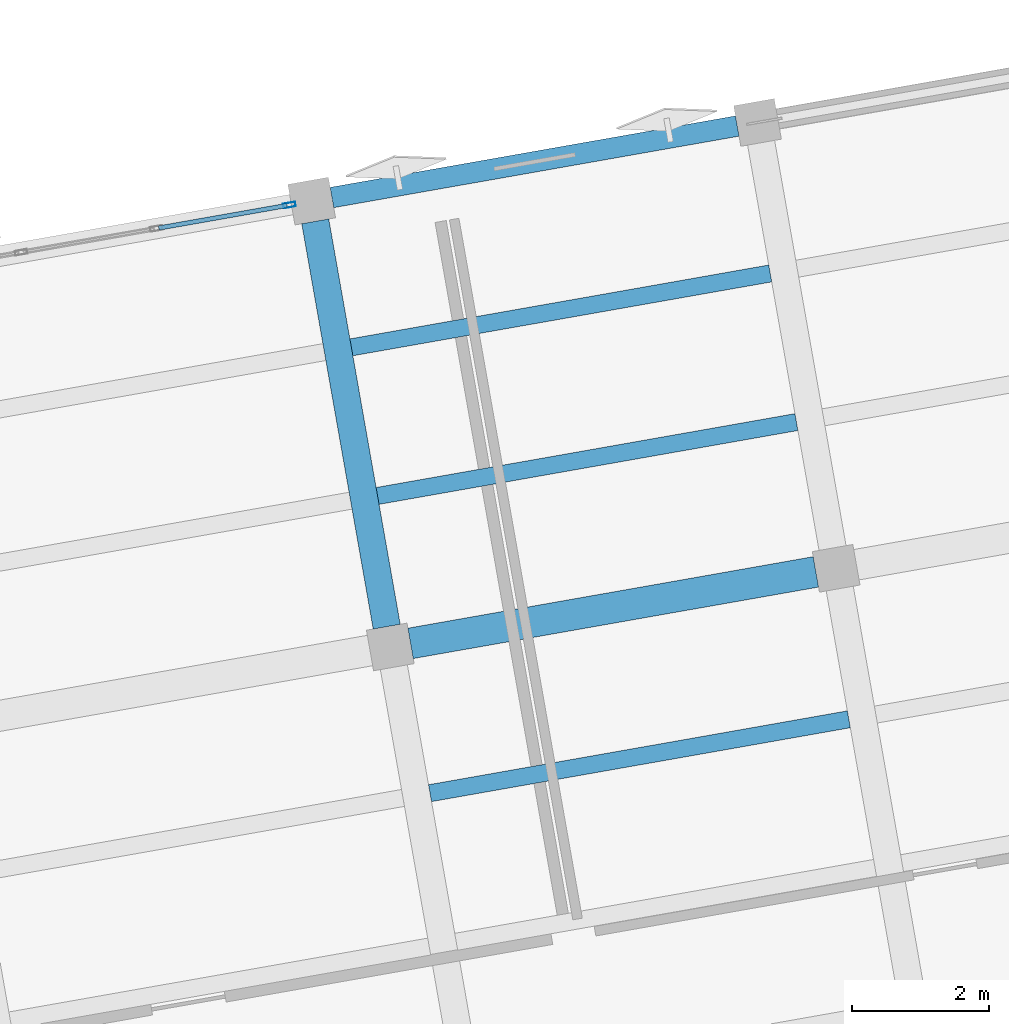
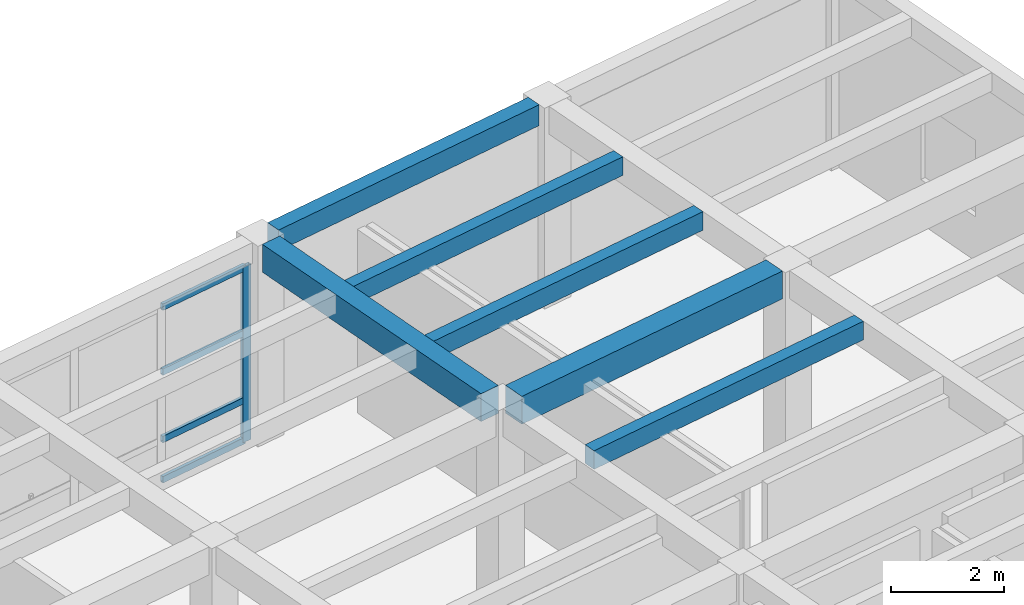
# One storey, part 8 of 36: 6 beams, 5 members, 1 element without a shape of its own.
"""IFC4 building model written with IfcOpenShell, lengths in metres."""

import ifcopenshell
import ifcopenshell.guid

model = None  # the IFC model being written
_history = None  # IfcOwnerHistory: only IFC2X3 demands one
_inside = {}  # id of a spatial element -> (the spatial element, [elements in it])
_under = {}  # id of a project, library or spatial element -> (it, [spatial elements below it])
_declared = {}  # id of a project -> (the project, [libraries it declares])
_typed = {}  # id of a type object -> (the type object, [elements of that type])
_made_of = {}  # id of a material, layer set ... -> (it, [elements and type objects made of it])


def new_model(schema):
    """Start an empty IFC model of exactly this schema.

    Asked for "IFC4X3", IfcOpenShell would pick the latest addendum, in which some entities
    have other attributes; the version numbers below select the first issue.
    IFC2X3 requires an IfcOwnerHistory on every rooted entity: one is made here for all.
    """
    global model, _history
    if schema == "IFC4X3":
        model = ifcopenshell.file(schema_version=(4, 3, 0, 0))
    else:
        model = ifcopenshell.file(schema=schema)
    _inside.clear()
    _under.clear()
    _declared.clear()
    _typed.clear()
    _made_of.clear()
    _history = None
    if model.schema == "IFC2X3":
        org = make("IfcOrganization", Name="unknown")
        user = make(
            "IfcPersonAndOrganization",
            ThePerson=make("IfcPerson", FamilyName="unknown"),
            TheOrganization=org,
        )
        app = make(
            "IfcApplication",
            ApplicationDeveloper=org,
            Version="unknown",
            ApplicationFullName="unknown",
            ApplicationIdentifier="unknown",
        )
        _history = make(
            "IfcOwnerHistory",
            OwningUser=user,
            OwningApplication=app,
            ChangeAction="ADDED",
            CreationDate=0,
        )
    return model


def make(cls, **values):
    """One entity of the class cls with the attributes given. An attribute that is None is left unset."""
    return model.create_entity(
        cls, **{name: value for name, value in values.items() if value is not None}
    )


def rooted(cls, **values):
    """An entity with a GlobalId (a new one), such as an element, a storey or a relation."""
    return make(cls, GlobalId=ifcopenshell.guid.new(), OwnerHistory=_history, **values)


def si_unit(unit_type, name, prefix=None):
    """IfcSIUnit, for example si_unit("LENGTHUNIT", "METRE", prefix="MILLI")."""
    return make("IfcSIUnit", UnitType=unit_type, Prefix=prefix, Name=name)


def assignment(units):
    """IfcUnitAssignment: the units of a project."""
    return None if units is None else make("IfcUnitAssignment", Units=units)


def point(xyz):
    """IfcCartesianPoint."""
    return None if xyz is None else make("IfcCartesianPoint", Coordinates=xyz)


def direction(xyz):
    """IfcDirection."""
    return None if xyz is None else make("IfcDirection", DirectionRatios=xyz)


def frame(location, z_axis=None, x_axis=None):
    """IfcAxis2Placement3D, a coordinate frame: its origin and axes. An axis left out is left unset."""
    return make(
        "IfcAxis2Placement3D",
        Location=point(location),
        Axis=direction(z_axis),
        RefDirection=direction(x_axis),
    )


def frame_2d(location, x_axis=None):
    """IfcAxis2Placement2D, a coordinate frame in the plane: its origin and x axis."""
    return make(
        "IfcAxis2Placement2D", Location=point(location), RefDirection=direction(x_axis)
    )


def origin():
    """The frame at (0, 0, 0) with its axes left unset."""
    return frame((0.0, 0.0, 0.0))


def origin_2d():
    """The frame at (0, 0) in the plane with its x axis left unset."""
    return frame_2d((0.0, 0.0))


def place(relative_to, where):
    """IfcLocalPlacement: puts the frame where relative to a parent placement (None: the world)."""
    return make(
        "IfcLocalPlacement", PlacementRelTo=relative_to, RelativePlacement=where
    )


def context(
    kind, dimensions, precision=None, world=None, true_north=None, identifier=None
):
    """IfcGeometricRepresentationContext, for example the 3D "Model" context."""
    return make(
        "IfcGeometricRepresentationContext",
        ContextIdentifier=identifier,
        ContextType=kind,
        CoordinateSpaceDimension=dimensions,
        Precision=precision,
        WorldCoordinateSystem=world,
        TrueNorth=true_north,
    )


def subcontext(parent, identifier, kind, view, scale=None):
    """IfcGeometricRepresentationSubContext, for example "Body" below "Model"."""
    return make(
        "IfcGeometricRepresentationSubContext",
        ContextIdentifier=identifier,
        ContextType=kind,
        ParentContext=parent,
        TargetScale=scale,
        TargetView=view,
    )


def project(units=None, contexts=None):
    """IfcProject with its units and contexts."""
    return rooted(
        "IfcProject",
        Name="project",
        RepresentationContexts=contexts,
        UnitsInContext=assignment(units),
    )


def spatial(cls, under=None, at=None, **own):
    """A site, building, storey or space (cls), placed at a placement, below another one or the project."""
    s = rooted(cls, ObjectPlacement=at, **own)
    if under is not None:
        _under.setdefault(under.id(), (under, []))[1].append(s)
    return s


def profile(cls, at=None, kind="AREA", **sizes):
    """A parametric profile (cls). Its sizes go by their IFC names, for example OverallWidth=200.0."""
    return make(cls, ProfileType=kind, Position=at, **sizes)


def rectangle(**sizes):
    """IfcRectangleProfileDef."""
    return profile("IfcRectangleProfileDef", **sizes)


def hollow_rectangle(**sizes):
    """IfcRectangleHollowProfileDef."""
    return profile("IfcRectangleHollowProfileDef", **sizes)


def extrude(swept, where, along, depth):
    """IfcExtrudedAreaSolid: the profile swept, set in the frame where, extruded along a direction by depth."""
    return make(
        "IfcExtrudedAreaSolid",
        SweptArea=swept,
        Position=where,
        ExtrudedDirection=direction(along),
        Depth=depth,
    )


def shape(context_of_items, identifier, shape_type, items):
    """IfcShapeRepresentation: the items that make up one representation, for example the "Body"."""
    return make(
        "IfcShapeRepresentation",
        ContextOfItems=context_of_items,
        RepresentationIdentifier=identifier,
        RepresentationType=shape_type,
        Items=items,
    )


def material(Name=None, Category=None):
    """IfcMaterial."""
    return make("IfcMaterial", Name=Name, Category=Category)


def layer(
    of_material, thickness, ventilated=None, Name=None, Category=None, Priority=None
):
    """IfcMaterialLayer: one layer of a wall or slab, of a material (None: an air gap)."""
    return make(
        "IfcMaterialLayer",
        Material=of_material,
        LayerThickness=thickness,
        IsVentilated=ventilated,
        Name=Name,
        Category=Category,
        Priority=Priority,
    )


def layer_set(layers, Name=None):
    """IfcMaterialLayerSet."""
    return make("IfcMaterialLayerSet", MaterialLayers=layers, LayerSetName=Name)


def material_profile(
    of_material, cross_section, Name=None, Category=None, Priority=None
):
    """IfcMaterialProfile: a cross section and its material."""
    return make(
        "IfcMaterialProfile",
        Name=Name,
        Material=of_material,
        Profile=cross_section,
        Priority=Priority,
        Category=Category,
    )


def profile_set(profiles, Name=None, composite=None):
    """IfcMaterialProfileSet."""
    return make(
        "IfcMaterialProfileSet",
        Name=Name,
        MaterialProfiles=profiles,
        CompositeProfile=composite,
    )


def made_of(thing, what):
    """Note that an element or type object is made of a material, layer set ...; save() writes the relation."""
    if what is not None:
        _made_of.setdefault(what.id(), (what, []))[1].append(thing)
    return thing


def type_object(cls, material=None, **own):
    """A type object (cls), such as IfcWallType, which elements share."""
    return made_of(rooted(cls, **own), material)


def element(
    cls,
    number,
    at=None,
    inside=None,
    cuts=None,
    type_object=None,
    material=None,
    context=None,
    identifier="Body",
    shape_type=None,
    held_by="IfcProductDefinitionShape",
    body=None,
    shapes=None,
    **own,
):
    """One element of the class cls, such as IfcWall. Its Tag is "e" and its number.

    at: its placement. inside: the storey or other place that contains it. cuts: it is an
    opening in that element (IfcRelVoidsElement). A single representation is given by context,
    identifier, shape_type and body (its items); several are given by shapes. held_by: the class
    of the entity that holds the representations. save() writes the other relations.
    """
    e = rooted(cls, Tag="e%d" % number, ObjectPlacement=at, **own)
    if body is not None:
        shapes = [shape(context, identifier, shape_type, body)]
    if shapes is not None:
        e.Representation = make(held_by, Representations=shapes)
    if inside is not None:
        _inside.setdefault(inside.id(), (inside, []))[1].append(e)
    if cuts is not None:
        rooted(
            "IfcRelVoidsElement", RelatingBuildingElement=cuts, RelatedOpeningElement=e
        )
    if type_object is not None:
        _typed.setdefault(type_object.id(), (type_object, []))[1].append(e)
    return made_of(e, material)


def aggregate(whole, parts):
    """IfcRelAggregates: a whole, such as a stair, and the parts it consists of."""
    return rooted("IfcRelAggregates", RelatingObject=whole, RelatedObjects=parts)


def save(model, path):
    """Write the relations noted so far, then the file.

    IfcRelAggregates (storeys below a building ...), IfcRelContainedInSpatialStructure (elements
    in a storey), IfcRelDefinesByType, IfcRelAssociatesMaterial and IfcRelDeclares: one each for
    every whole, place, type object, material and project.
    """
    for whole, parts in _under.values():
        aggregate(whole, parts)
    for where, things in _inside.values():
        rooted(
            "IfcRelContainedInSpatialStructure",
            RelatedElements=things,
            RelatingStructure=where,
        )
    for kind, things in _typed.values():
        rooted("IfcRelDefinesByType", RelatedObjects=things, RelatingType=kind)
    for what, things in _made_of.values():
        rooted("IfcRelAssociatesMaterial", RelatedObjects=things, RelatingMaterial=what)
    for by, libraries in _declared.values():
        rooted("IfcRelDeclares", RelatingContext=by, RelatedDefinitions=libraries)
    model.write(path)


model = new_model("IFC4")

# Units and contexts
model_context = context("Model", 3, precision=1e-05, world=origin(), true_north=direction((0.0, 1.0)))
body_context = subcontext(model_context, "Body", "Model", "MODEL_VIEW")
ifc_project = project(units=[si_unit("LENGTHUNIT", "METRE"), si_unit("AREAUNIT", "SQUARE_METRE"), si_unit("VOLUMEUNIT", "CUBIC_METRE"), si_unit("PLANEANGLEUNIT", "RADIAN"), si_unit("MASSUNIT", "GRAM", prefix="KILO")], contexts=[model_context])

# Site, building, storey
site_placement = place(None, origin())
site = spatial("IfcSite", under=ifc_project, at=site_placement, CompositionType="ELEMENT")
building_placement = place(site_placement, origin())
building = spatial("IfcBuilding", under=site, at=building_placement, Name="Kharisveld Research Institute", CompositionType="ELEMENT")
storey_placement = place(building_placement, frame((0.0, 0.0, 27.60009765625)))
storey = spatial("IfcBuildingStorey", under=building, at=storey_placement, Name="L06", CompositionType="ELEMENT", Elevation=27.60009765625)

# Beams
ifc_material_1 = material(Name="Concrete C40/50", Category="concrete")
ifc_material_profile_1 = material_profile(ifc_material_1, rectangle(XDim=0.39990234375, YDim=0.60009765625, at=origin_2d()))
ifc_profile_set_1 = profile_set([ifc_material_profile_1], Name="Concrete C40/50")
beam_type_1 = type_object("IfcBeamType", Name="BM_RC_400x600", PredefinedType="BEAM", material=ifc_profile_set_1)
beam_1_placement = place(storey_placement, frame((28.854736328125, 52.88916015625, 4.02001953125), z_axis=(-0.173662308598, 0.984805261243, 0.0), x_axis=(-0.984805261243, -0.173662308598, 0.0)))
element("IfcBeam", 1, at=beam_1_placement, inside=storey, type_object=beam_type_1, Name="BM:V1:L06:V4_2", PredefinedType="BEAM", context=body_context, shape_type="SweptSolid", body=[
    extrude(rectangle(XDim=0.39990234375, YDim=0.60009765625, at=origin_2d()), origin(), (0.0, 0.0, 1.0), 6.0),
])
ifc_material_2 = material(Name="Concrete C40/50", Category="concrete")
ifc_material_profile_2 = material_profile(ifc_material_2, rectangle(XDim=0.449951171875, YDim=0.60009765625, at=origin_2d()))
ifc_profile_set_2 = profile_set([ifc_material_profile_2], Name="Concrete C40/50")
beam_type_2 = type_object("IfcBeamType", Name="BM_RC_450x600", PredefinedType="BEAM", material=ifc_profile_set_2)
beam_2_placement = place(storey_placement, frame((29.2021484375, 52.645751953125, 4.02001953125), z_axis=(0.984805261243, 0.173662308598, 0.0), x_axis=(-0.173662308598, 0.984805261243, 0.0)))
element("IfcBeam", 2, at=beam_2_placement, inside=storey, type_object=beam_type_2, Name="BM:V1:L06:U4_2", PredefinedType="BEAM", context=body_context, shape_type="SweptSolid", body=[
    extrude(rectangle(XDim=0.449951171875, YDim=0.60009765625, at=origin_2d()), origin(), (0.0, 0.0, 1.0), 6.0),
])

# Curtain wall, members
ifc_material_3 = material(Name="Thermally Broken Aluminium Curtain Wall", Category="aluminium")
ifc_layer = layer(ifc_material_3, 0.159912109375)
ifc_layer_set = layer_set([ifc_layer], Name="CW_SYS_06")
curtain_wall_type = type_object("IfcCurtainWallType", Name="CW_SYS_06", PredefinedType="NOTDEFINED", material=ifc_layer_set)
curtain_wall_placement = place(storey_placement, origin())
curtain_wall = element("IfcCurtainWall", 3, at=curtain_wall_placement, inside=storey, type_object=curtain_wall_type, Name="CW:V1:L06:N3", PredefinedType="NOTDEFINED")
ifc_material_4 = material(Name="Anodised Aluminium AW-6063-T6", Category="aluminium")
ifc_material_profile_3 = material_profile(ifc_material_4, hollow_rectangle(XDim=0.070068359375, YDim=0.179931640625, WallThickness=0.00439453125, at=origin_2d()))
ifc_profile_set_3 = profile_set([ifc_material_profile_3], Name="Anodised Aluminium AW-6063-T6")
member_type_1 = type_object("IfcMemberType", Name="CW_MUL_180", PredefinedType="MULLION", material=ifc_profile_set_3)
member_1_placement = place(storey_placement, frame((27.435791015625, 59.0361328125, 0.0), z_axis=(0.0, 0.0, 1.0), x_axis=(-0.173648239132, 0.984807742174, 0.0)))
member_1 = element("IfcMember", 4, at=member_1_placement, type_object=member_type_1, Name="CW-06 mullion 4", PredefinedType="MULLION", context=body_context, shape_type="SweptSolid", body=[
    extrude(hollow_rectangle(XDim=0.070068359375, YDim=0.179931640625, WallThickness=0.00439453125, at=origin_2d()), origin(), (0.0, 0.0, 1.0), 3.77978515625),
])
ifc_material_5 = material(Name="Anodised Aluminium AW-6063-T6", Category="aluminium")
ifc_material_profile_4 = material_profile(ifc_material_5, hollow_rectangle(XDim=0.06494140625, YDim=0.139892578125, WallThickness=0.00390625, at=origin_2d()))
ifc_profile_set_4 = profile_set([ifc_material_profile_4], Name="Anodised Aluminium AW-6063-T6")
member_type_2 = type_object("IfcMemberType", Name="CW_TRN_140", PredefinedType="USERDEFINED", material=ifc_profile_set_4)
member_2_placement = place(storey_placement, frame((25.53173828125, 58.700439453125, 0.032470703125), z_axis=(0.984810737341, 0.173631251849, 0.0), x_axis=(-0.173631251849, 0.984810737341, 0.0)))
member_2 = element("IfcMember", 5, at=member_2_placement, type_object=member_type_2, Name="CW-06 transom 3.1", ObjectType="TRANSOM", PredefinedType="USERDEFINED", context=body_context, shape_type="SweptSolid", body=[
    extrude(hollow_rectangle(XDim=0.06494140625, YDim=0.139892578125, WallThickness=0.00390625, at=origin_2d()), origin(), (0.0, 0.0, 1.0), 1.898193359375),
])
member_3_placement = place(storey_placement, frame((25.53173828125, 58.700439453125, 0.89990234375), z_axis=(0.984810737341, 0.173631251849, 0.0), x_axis=(-0.173631251849, 0.984810737341, 0.0)))
member_3 = element("IfcMember", 6, at=member_3_placement, type_object=member_type_2, Name="CW-06 transom 3.2", ObjectType="TRANSOM", PredefinedType="USERDEFINED", context=body_context, shape_type="SweptSolid", body=[
    extrude(hollow_rectangle(XDim=0.06494140625, YDim=0.139892578125, WallThickness=0.00390625, at=origin_2d()), origin(), (0.0, 0.0, 1.0), 1.898193359375),
])
member_4_placement = place(storey_placement, frame((25.53173828125, 58.700439453125, 2.349853515625), z_axis=(0.984810737341, 0.173631251849, 0.0), x_axis=(-0.173631251849, 0.984810737341, 0.0)))
member_4 = element("IfcMember", 7, at=member_4_placement, type_object=member_type_2, Name="CW-06 transom 3.3", ObjectType="TRANSOM", PredefinedType="USERDEFINED", context=body_context, shape_type="SweptSolid", body=[
    extrude(hollow_rectangle(XDim=0.06494140625, YDim=0.139892578125, WallThickness=0.00390625, at=origin_2d()), origin(), (0.0, 0.0, 1.0), 1.898193359375),
])
member_5_placement = place(storey_placement, frame((25.53173828125, 58.700439453125, 3.747314453125), z_axis=(0.984810737341, 0.173631251849, 0.0), x_axis=(-0.173631251849, 0.984810737341, 0.0)))
member_5 = element("IfcMember", 8, at=member_5_placement, type_object=member_type_2, Name="CW-06 transom 3.4", ObjectType="TRANSOM", PredefinedType="USERDEFINED", context=body_context, shape_type="SweptSolid", body=[
    extrude(hollow_rectangle(XDim=0.06494140625, YDim=0.139892578125, WallThickness=0.00390625, at=origin_2d()), origin(), (0.0, 0.0, 1.0), 1.898193359375),
])
aggregate(curtain_wall, [member_1, member_2, member_3, member_4, member_5])

# Beams
ifc_material_6 = material(Name="Concrete C40/50", Category="concrete")
ifc_material_profile_5 = material_profile(ifc_material_6, rectangle(XDim=0.300048828125, YDim=0.449951171875, at=origin_2d()))
ifc_profile_set_5 = profile_set([ifc_material_profile_5], Name="Concrete C40/50")
beam_type_3 = type_object("IfcBeamType", Name="SP_RC_300x450", PredefinedType="SPANDREL", material=ifc_profile_set_5)
beam_3_placement = place(storey_placement, frame((28.05615234375, 59.1455078125, 4.094970703125), z_axis=(0.984805261243, 0.173662308598, 0.0), x_axis=(-0.173662308598, 0.984805261243, 0.0)))
element("IfcBeam", 9, at=beam_3_placement, inside=storey, type_object=beam_type_3, Name="BM:V1:L06:U4_3", PredefinedType="SPANDREL", context=body_context, shape_type="SweptSolid", body=[
    extrude(rectangle(XDim=0.300048828125, YDim=0.449951171875, at=origin_2d()), origin(), (0.0, 0.0, 1.0), 6.0),
])
ifc_material_7 = material(Name="Concrete C40/50", Category="concrete")
ifc_material_profile_6 = material_profile(ifc_material_7, rectangle(XDim=0.25, YDim=0.39990234375, at=origin_2d()))
ifc_profile_set_6 = profile_set([ifc_material_profile_6], Name="Concrete C40/50")
beam_type_4 = type_object("IfcBeamType", Name="WB_RC_250x400", PredefinedType="JOIST", material=ifc_profile_set_6)
for number, where, z_axis, x_axis, name in (
    (10, (29.48583984375, 50.4619140625, 4.119873046875), (0.984806146634, 0.173657287643, 0.0), (-0.173657287643, 0.984806146634, 0.0), "BM:V1:L06:J_4_1_R2"),
    (11, (28.7216796875, 54.795166015625, 4.119873046875), (0.984812880329, 0.1736190967, 0.0), (-0.1736190967, 0.984812880329, 0.0), "BM:V1:L06:J_4_2_R1"),
):
    element("IfcBeam", number, at=place(storey_placement, frame(where, z_axis=z_axis, x_axis=x_axis)), inside=storey, type_object=beam_type_4, Name=name, PredefinedType="JOIST", context=body_context, shape_type="SweptSolid", body=[
        extrude(rectangle(XDim=0.25, YDim=0.39990234375, at=origin_2d()), origin(), (0.0, 0.0, 1.0), 6.199951171875),
    ])
beam_4_placement = place(storey_placement, frame((28.339599609375, 56.961669921875, 4.119873046875), z_axis=(0.984807334084, 0.173650553511, 0.0), x_axis=(-0.173650553511, 0.984807334084, 0.0)))
element("IfcBeam", 12, at=beam_4_placement, inside=storey, type_object=beam_type_4, Name="BM:V1:L06:J_4_2_R2", PredefinedType="JOIST", context=body_context, shape_type="SweptSolid", body=[
    extrude(rectangle(XDim=0.25, YDim=0.39990234375, at=origin_2d()), origin(), (0.0, 0.0, 1.0), 6.2001953125),
])

save(model, "model.ifc")
